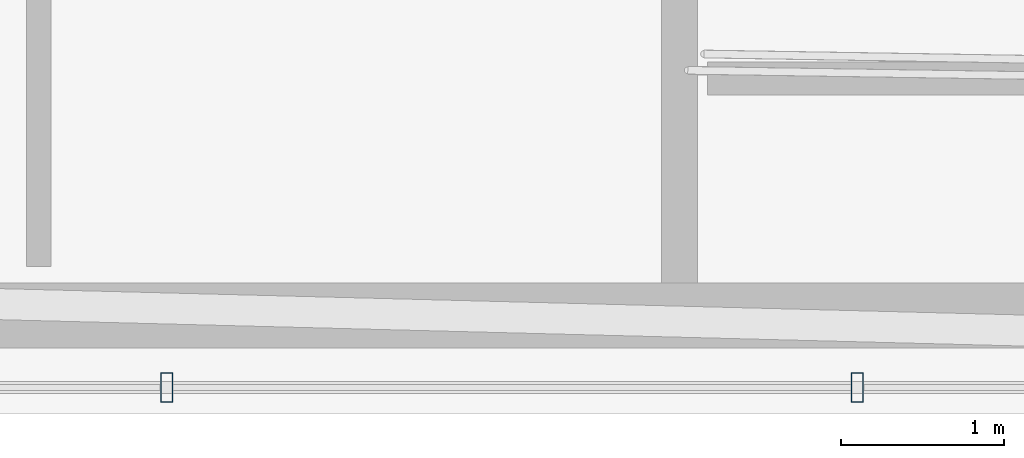
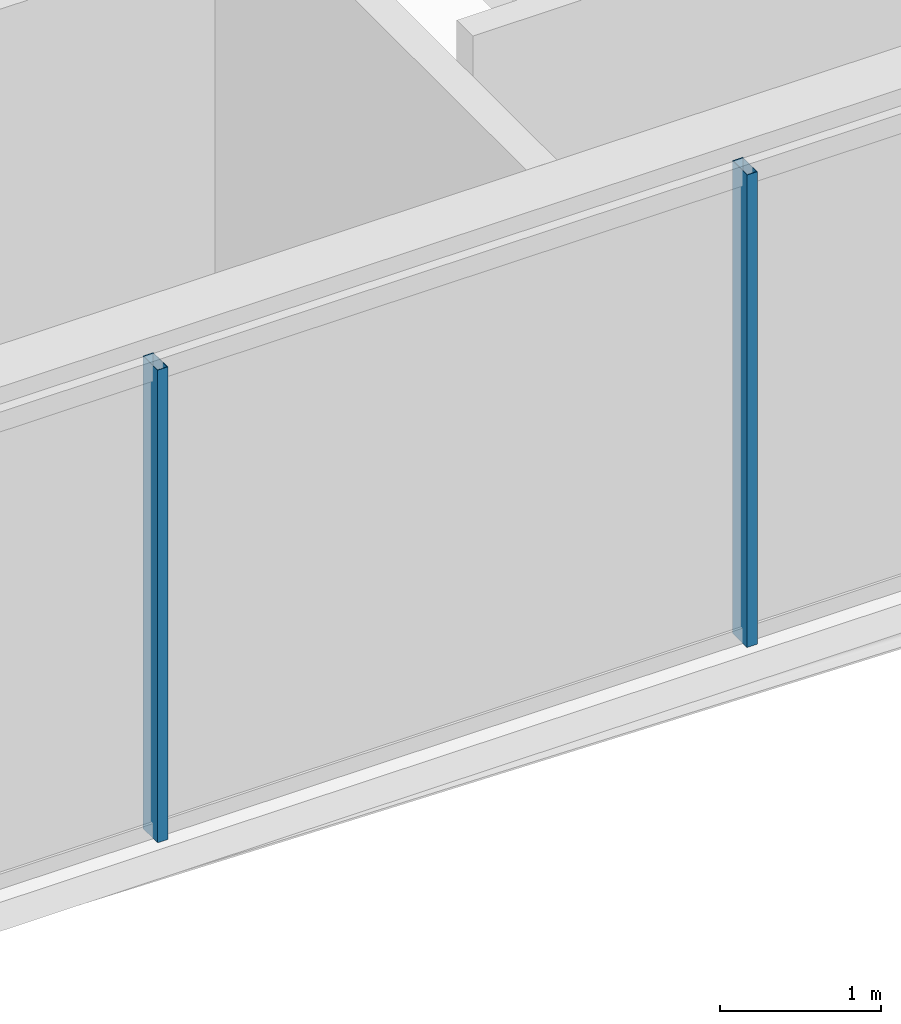
# One storey, part 6 of 33: 2 members, 1 element without a shape of its own.
"""IFC4 building model written with IfcOpenShell, lengths in metres."""

from ifc_helpers import new_model, si_unit, direction, frame, origin, origin_2d, place, context, subcontext, project, spatial, hollow_rectangle, extrude, material, layer, layer_set, material_profile, profile_set, type_object, element, aggregate, save


model = new_model("IFC4")

# Units and contexts
model_context = context("Model", 3, precision=1e-05, world=origin(), true_north=direction((0.0, 1.0)))
body_context = subcontext(model_context, "Body", "Model", "MODEL_VIEW")
ifc_project = project(units=[si_unit("LENGTHUNIT", "METRE"), si_unit("AREAUNIT", "SQUARE_METRE"), si_unit("VOLUMEUNIT", "CUBIC_METRE"), si_unit("PLANEANGLEUNIT", "RADIAN"), si_unit("MASSUNIT", "GRAM", prefix="KILO")], contexts=[model_context])

# Site, building, storey
site_placement = place(None, origin())
site = spatial("IfcSite", under=ifc_project, at=site_placement, CompositionType="ELEMENT")
building_placement = place(site_placement, origin())
building = spatial("IfcBuilding", under=site, at=building_placement, Name="Ndaravel Arena Tower", CompositionType="ELEMENT")
storey_placement = place(building_placement, frame((0.0, 0.0, 184.0)))
storey = spatial("IfcBuildingStorey", under=building, at=storey_placement, Name="L44", CompositionType="ELEMENT", Elevation=184.0)

# Curtain wall, members
ifc_material_1 = material(Name="Aluminium", Category="aluminium")
ifc_layer = layer(ifc_material_1, 0.179931640625)
ifc_layer_set = layer_set([ifc_layer], Name="Aluminium")
curtain_wall_type = type_object("IfcCurtainWallType", Name="CW-SYS-03", PredefinedType="NOTDEFINED", material=ifc_layer_set)
curtain_wall_placement = place(storey_placement, origin())
curtain_wall = element("IfcCurtainWall", 1, at=curtain_wall_placement, inside=storey, type_object=curtain_wall_type, Name="L44 Faceted Crystal Curtain Wall CW-L44-E01", PredefinedType="NOTDEFINED")
ifc_material_2 = material(Name="Aluminium", Category="aluminium")
ifc_material_profile = material_profile(ifc_material_2, hollow_rectangle(XDim=0.074951171875, YDim=0.179931640625, WallThickness=0.00390625, at=origin_2d()), Name="CW MULLION 75x180x4")
ifc_profile_set = profile_set([ifc_material_profile], Name="Aluminium")
member_type = type_object("IfcMemberType", Name="MEM-CW-MUL180", PredefinedType="MULLION", material=ifc_profile_set)
member_1_placement = place(storey_placement, frame((35.662109375, 5.159912109375, 0.0), z_axis=(0.0, 0.0, 1.0), x_axis=(1.0, 0.0, 0.0)))
member_1 = element("IfcMember", 2, at=member_1_placement, type_object=member_type, Name="CW-L44-E01 Mullion 03", PredefinedType="MULLION", context=body_context, shape_type="SweptSolid", body=[
    extrude(hollow_rectangle(XDim=0.074951171875, YDim=0.179931640625, WallThickness=0.00390625, at=origin_2d()), origin(), (0.0, 0.0, 1.0), 3.580078125),
])
member_2_placement = place(storey_placement, frame((39.88720703125, 5.159912109375, 0.0), z_axis=(0.0, 0.0, 1.0), x_axis=(1.0, 0.0, 0.0)))
member_2 = element("IfcMember", 3, at=member_2_placement, type_object=member_type, Name="CW-L44-E01 Mullion 04", PredefinedType="MULLION", context=body_context, shape_type="SweptSolid", body=[
    extrude(hollow_rectangle(XDim=0.074951171875, YDim=0.179931640625, WallThickness=0.00390625, at=origin_2d()), origin(), (0.0, 0.0, 1.0), 3.580078125),
])
aggregate(curtain_wall, [member_1, member_2])

save(model, "model.ifc")
